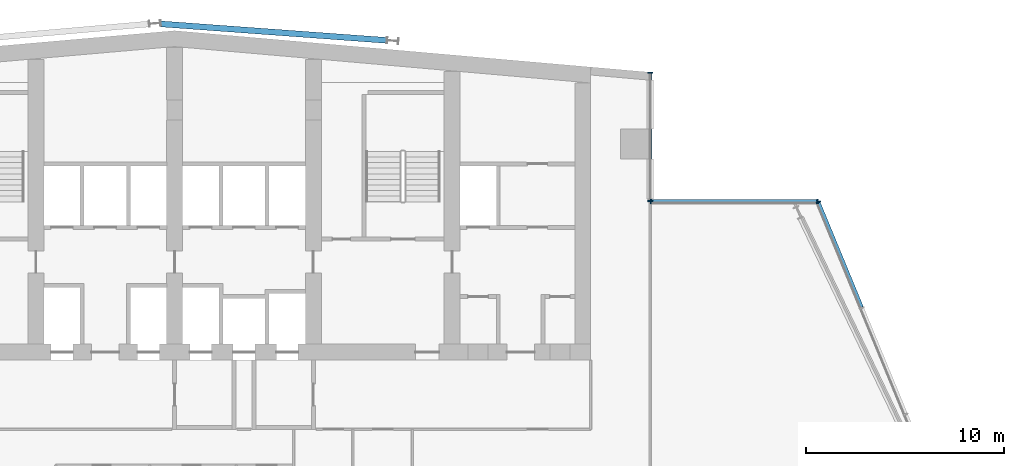
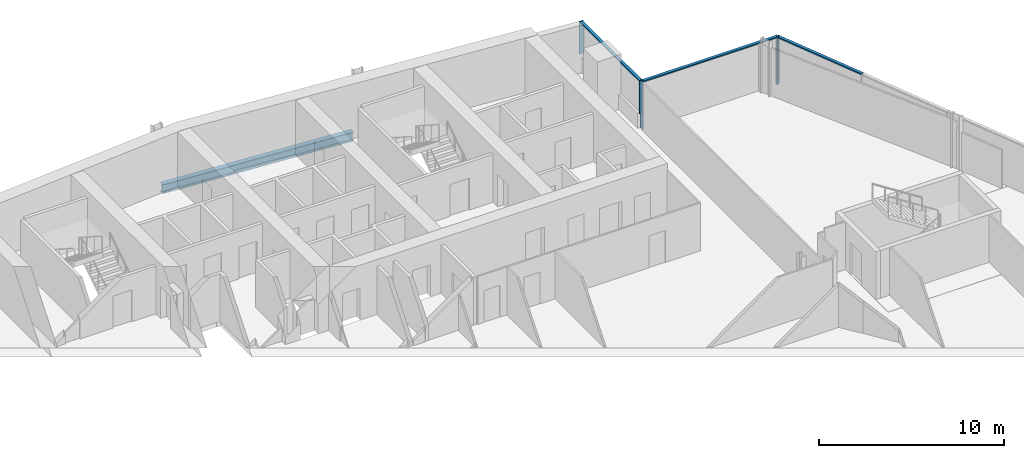
# One storey, part 10 of 24: 8 members, 1 beam, 3 elements without a shape of their own.
"""IFC4 building model written with IfcOpenShell, lengths in metres."""

from ifc_helpers import new_model, si_unit, direction, frame, origin, origin_2d, place, context, subcontext, project, spatial, rectangle, i_section, extrude, material, material_profile, profile_set, type_object, element, aggregate, save


model = new_model("IFC4")

# Units and contexts
model_context = context("Model", 3, precision=1e-05, world=origin(), true_north=direction((0.0, 1.0)))
body_context = subcontext(model_context, "Body", "Model", "MODEL_VIEW")
ifc_project = project(units=[si_unit("LENGTHUNIT", "METRE"), si_unit("AREAUNIT", "SQUARE_METRE"), si_unit("VOLUMEUNIT", "CUBIC_METRE"), si_unit("PLANEANGLEUNIT", "RADIAN"), si_unit("MASSUNIT", "GRAM", prefix="KILO")], contexts=[model_context])

# Site, building, storey
site_placement = place(None, origin())
site = spatial("IfcSite", under=ifc_project, at=site_placement, CompositionType="ELEMENT")
building_placement = place(site_placement, origin())
building = spatial("IfcBuilding", under=site, at=building_placement, Name="Wharfspan Tower", CompositionType="ELEMENT")
storey_placement = place(building_placement, frame((0.0, 0.0, 198.699951)))
storey = spatial("IfcBuildingStorey", under=building, at=storey_placement, Name="L49", CompositionType="ELEMENT", Elevation=198.699951)

# Beam
ifc_material_1 = material(Name="Steel S355J2", Category="steel")
ifc_material_profile_1 = material_profile(ifc_material_1, i_section(OverallWidth=0.300049, OverallDepth=0.600098, WebThickness=0.015381, FlangeThickness=0.030029, FilletRadius=0.0271, at=origin_2d()))
ifc_profile_set_1 = profile_set([ifc_material_profile_1], Name="Steel S355J2")
beam_type = type_object("IfcBeamType", Name="Edge beam HEB 600", PredefinedType="SPANDREL", material=ifc_profile_set_1)
beam_placement = place(storey_placement, frame((36.299072, 50.965332, -0.699951), z_axis=(0.997353, -0.072713, 0.0), x_axis=(0.072713, 0.997353, 0.0)))
element("IfcBeam", 1, at=beam_placement, inside=storey, type_object=beam_type, Name="Edge beam L49 R.2 to R.3", PredefinedType="SPANDREL", context=body_context, shape_type="SweptSolid", body=[
    extrude(i_section(OverallWidth=0.300049, OverallDepth=0.600098, WebThickness=0.015381, FlangeThickness=0.030029, FilletRadius=0.0271, at=origin_2d()), origin(), (0.0, 0.0, 1.0), 11.436035),
])

# Curtain wall, member
ifc_material_2 = material(Name="Aluminium 6063-T6", Category="aluminium")
curtain_wall_type = type_object("IfcCurtainWallType", Name="CURTAIN WALL PROW AND END", PredefinedType="NOTDEFINED", material=ifc_material_2)
curtain_wall_1_placement = place(storey_placement, origin())
curtain_wall_1 = element("IfcCurtainWall", 2, at=curtain_wall_1_placement, inside=storey, type_object=curtain_wall_type, Name="Curtain wall E", PredefinedType="NOTDEFINED")
ifc_material_profile_2 = material_profile(ifc_material_2, rectangle(XDim=0.23999, YDim=0.060059, at=origin_2d()))
ifc_profile_set_2 = profile_set([ifc_material_profile_2], Name="Aluminium 6063-T6")
member_type_1 = type_object("IfcMemberType", Name="MULLION PROW AND END 60x240", PredefinedType="MULLION", material=ifc_profile_set_2)
member_1_placement = place(storey_placement, frame((69.488525, 41.972168, 0.0), z_axis=(0.0, 0.0, 1.0), x_axis=(-0.924325, -0.381602, 0.0)))
member_1 = element("IfcMember", 3, at=member_1_placement, type_object=member_type_1, Name="Curtain wall E mullion 8", PredefinedType="MULLION", context=body_context, shape_type="SweptSolid", body=[
    extrude(rectangle(XDim=0.23999, YDim=0.060059, at=origin_2d()), origin(), (0.0, 0.0, 1.0), 3.150146),
])

# Curtain wall, members
curtain_wall_2_placement = place(storey_placement, origin())
curtain_wall_2 = element("IfcCurtainWall", 4, at=curtain_wall_2_placement, inside=storey, type_object=curtain_wall_type, Name="Curtain wall NRE-H", PredefinedType="NOTDEFINED")
member_2_placement = place(storey_placement, frame((69.447021, 42.0, 0.0), z_axis=(0.0, 0.0, 1.0), x_axis=(0.0, -1.0, 0.0)))
member_2 = element("IfcMember", 5, at=member_2_placement, type_object=member_type_1, Name="Curtain wall NRE-H mullion 1", PredefinedType="MULLION", context=body_context, shape_type="SweptSolid", body=[
    extrude(rectangle(XDim=0.23999, YDim=0.060059, at=origin_2d()), origin(), (0.0, 0.0, 1.0), 3.150146),
])
member_3_placement = place(storey_placement, frame((61.030029, 42.0, 0.0), z_axis=(0.0, 0.0, 1.0), x_axis=(0.0, -1.0, 0.0)))
member_3 = element("IfcMember", 6, at=member_3_placement, type_object=member_type_1, Name="Curtain wall NRE-H mullion 2", PredefinedType="MULLION", context=body_context, shape_type="SweptSolid", body=[
    extrude(rectangle(XDim=0.23999, YDim=0.060059, at=origin_2d()), origin(), (0.0, 0.0, 1.0), 3.150146),
])

curtain_wall_3_placement = place(storey_placement, origin())
curtain_wall_3 = element("IfcCurtainWall", 7, at=curtain_wall_3_placement, inside=storey, type_object=curtain_wall_type, Name="Curtain wall NRE-V", PredefinedType="NOTDEFINED")
member_4_placement = place(storey_placement, frame((61.0, 42.030029, 1.0), z_axis=(0.0, 0.0, 1.0), x_axis=(-1.0, 0.0, 0.0)))
member_4 = element("IfcMember", 8, at=member_4_placement, type_object=member_type_1, Name="Curtain wall NRE-V mullion 1", PredefinedType="MULLION", context=body_context, shape_type="SweptSolid", body=[
    extrude(rectangle(XDim=0.23999, YDim=0.060059, at=origin_2d()), origin(), (0.0, 0.0, 1.0), 2.150146),
])
member_5_placement = place(storey_placement, frame((61.0, 48.494873, 1.0), z_axis=(0.0, 0.0, 1.0), x_axis=(-1.0, 0.0, 0.0)))
member_5 = element("IfcMember", 9, at=member_5_placement, type_object=member_type_1, Name="Curtain wall NRE-V mullion 2", PredefinedType="MULLION", context=body_context, shape_type="SweptSolid", body=[
    extrude(rectangle(XDim=0.23999, YDim=0.060059, at=origin_2d()), origin(), (0.0, 0.0, 1.0), 2.150146),
])

# Member
ifc_material_profile_3 = material_profile(ifc_material_2, rectangle(XDim=0.179932, YDim=0.080078, at=origin_2d()))
ifc_profile_set_3 = profile_set([ifc_material_profile_3], Name="Aluminium 6063-T6")
member_type_2 = type_object("IfcMemberType", Name="TRANSOM PROW AND END 80x180", PredefinedType="USERDEFINED", material=ifc_profile_set_3)
member_6_placement = place(storey_placement, frame((71.683105, 36.65625, 3.110107), z_axis=(-0.38158, 0.924336, 0.0), x_axis=(-0.924336, -0.38158, 0.0)))
member_6 = element("IfcMember", 10, at=member_6_placement, type_object=member_type_2, Name="Curtain wall E transom 7", ObjectType="TRANSOM", PredefinedType="USERDEFINED", context=body_context, shape_type="SweptSolid", body=[
    extrude(rectangle(XDim=0.179932, YDim=0.080078, at=origin_2d()), origin(), (0.0, 0.0, 1.0), 5.721191),
])

aggregate(curtain_wall_1, [member_1, member_6])

member_7_placement = place(storey_placement, frame((69.416992, 42.0, 3.110107), z_axis=(-1.0, 0.0, 0.0), x_axis=(0.0, -1.0, 0.0)))
member_7 = element("IfcMember", 11, at=member_7_placement, type_object=member_type_2, Name="Curtain wall NRE-H transom 1", ObjectType="TRANSOM", PredefinedType="USERDEFINED", context=body_context, shape_type="SweptSolid", body=[
    extrude(rectangle(XDim=0.179932, YDim=0.080078, at=origin_2d()), origin(), (0.0, 0.0, 1.0), 8.356934),
])

aggregate(curtain_wall_2, [member_2, member_3, member_7])

member_8_placement = place(storey_placement, frame((61.0, 42.060059, 3.110107), z_axis=(0.0, 1.0, 0.0), x_axis=(-1.0, 0.0, 0.0)))
member_8 = element("IfcMember", 12, at=member_8_placement, type_object=member_type_2, Name="Curtain wall NRE-V transom 1", ObjectType="TRANSOM", PredefinedType="USERDEFINED", context=body_context, shape_type="SweptSolid", body=[
    extrude(rectangle(XDim=0.179932, YDim=0.080078, at=origin_2d()), origin(), (0.0, 0.0, 1.0), 6.404785),
])

aggregate(curtain_wall_3, [member_4, member_5, member_8])

save(model, "model.ifc")
